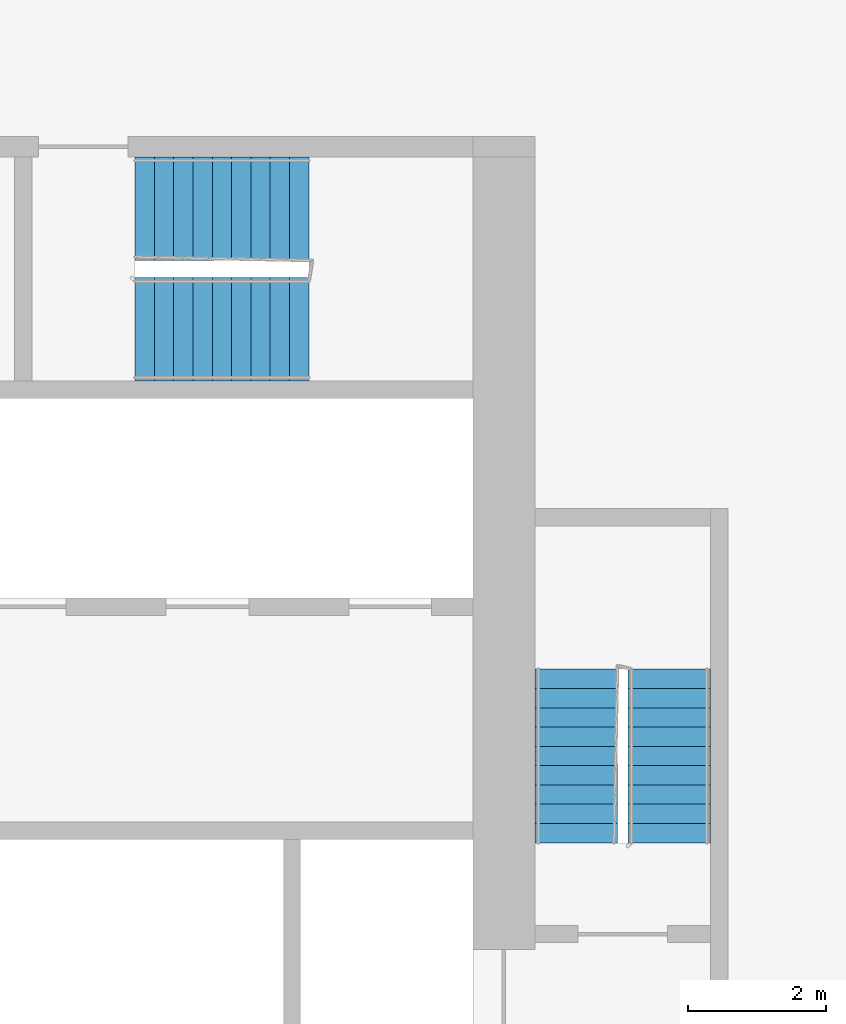
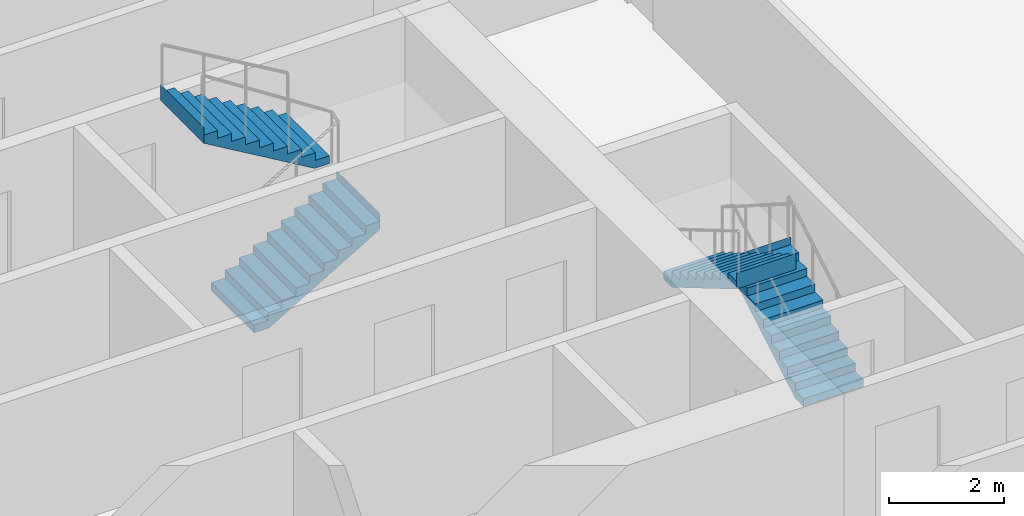
# One storey, part 11 of 13: 4 stair flights, 2 elements without a shape of their own.
"""IFC4 building model written with IfcOpenShell, lengths in metres."""

from ifc_helpers import new_model, si_unit, direction, frame, origin, place, context, subcontext, project, spatial, faceted_brep, material, type_object, element, aggregate, save


model = new_model("IFC4")

# Units and contexts
model_context = context("Model", 3, precision=1e-05, world=origin(), true_north=direction((0.0, 1.0)))
body_context = subcontext(model_context, "Body", "Model", "MODEL_VIEW")
ifc_project = project(units=[si_unit("LENGTHUNIT", "METRE"), si_unit("AREAUNIT", "SQUARE_METRE"), si_unit("VOLUMEUNIT", "CUBIC_METRE"), si_unit("PLANEANGLEUNIT", "RADIAN"), si_unit("MASSUNIT", "GRAM", prefix="KILO")], contexts=[model_context])

# Site, building, storey
site_placement = place(None, origin())
site = spatial("IfcSite", under=ifc_project, at=site_placement, CompositionType="ELEMENT")
building_placement = place(site_placement, origin())
building = spatial("IfcBuilding", under=site, at=building_placement, Name="Kajstack Hotel Tower", CompositionType="ELEMENT")
storey_placement = place(building_placement, frame((0.0, 0.0, 69.89990234375)))
storey = spatial("IfcBuildingStorey", under=building, at=storey_placement, Name="L12", CompositionType="ELEMENT", Elevation=69.89990234375)

# Stair, stair flights
ifc_material = material(Name="Concrete C40/50", Category="concrete")
stair_type_1 = type_object("IfcStairType", Name="Exit stair 1200", PredefinedType="HALF_TURN_STAIR", material=ifc_material)
stair_1_placement = place(storey_placement, origin())
stair_1 = element("IfcStair", 1, at=stair_1_placement, inside=storey, type_object=stair_type_1, Name="L12 stair E1", PredefinedType="HALF_TURN_STAIR")
stair_flight_type_1 = type_object("IfcStairFlightType", Name="Exit stair flight 1200", PredefinedType="STRAIGHT", material=ifc_material)
stair_flight_1_placement = place(storey_placement, frame((33.449951171875, 5.25, 0.0), z_axis=(0.0, 0.0, 1.0), x_axis=(0.0, 1.0, 0.0)))
stair_flight_1 = element("IfcStairFlight", 2, at=stair_flight_1_placement, type_object=stair_flight_type_1, Name="E1 flight 1", NumberOfRisers=10, NumberOfTreads=9, PredefinedType="STRAIGHT", RiserHeight=0.165, TreadLength=0.28, context=body_context, shape_type="Brep", body=[
    faceted_brep([(0.295654296875, -0.60009765625, 0.0), (2.5205078125, -0.60009765625, 1.31103515625), (2.5205078125, -0.60009765625, 1.64990234375), (2.52001953125, -0.60009765625, 1.64990234375), (2.52001953125, -0.60009765625, 1.485107421875), (2.239990234375, -0.60009765625, 1.485107421875), (2.239990234375, -0.60009765625, 1.320068359375), (1.9599609375, -0.60009765625, 1.320068359375), (1.9599609375, -0.60009765625, 1.155029296875), (1.679931640625, -0.60009765625, 1.155029296875), (1.679931640625, -0.60009765625, 0.989990234375), (1.39990234375, -0.60009765625, 0.989990234375), (1.39990234375, -0.60009765625, 0.824951171875), (1.1201171875, -0.60009765625, 0.824951171875), (1.1201171875, -0.60009765625, 0.659912109375), (0.840087890625, -0.60009765625, 0.659912109375), (0.840087890625, -0.60009765625, 0.4951171875), (0.56005859375, -0.60009765625, 0.4951171875), (0.56005859375, -0.60009765625, 0.330078125), (0.280029296875, -0.60009765625, 0.330078125), (0.280029296875, -0.60009765625, 0.1650390625), (-0.00048828125, -0.60009765625, 0.1650390625), (-0.00048828125, -0.60009765625, 0.0), (-0.00048828125, 0.60009765625, 0.0), (-0.00048828125, 0.60009765625, 0.1650390625), (0.280029296875, 0.60009765625, 0.1650390625), (0.280029296875, 0.60009765625, 0.330078125), (0.56005859375, 0.60009765625, 0.330078125), (0.56005859375, 0.60009765625, 0.4951171875), (0.840087890625, 0.60009765625, 0.4951171875), (0.840087890625, 0.60009765625, 0.659912109375), (1.1201171875, 0.60009765625, 0.659912109375), (1.1201171875, 0.60009765625, 0.824951171875), (1.39990234375, 0.60009765625, 0.824951171875), (1.39990234375, 0.60009765625, 0.989990234375), (1.679931640625, 0.60009765625, 0.989990234375), (1.679931640625, 0.60009765625, 1.155029296875), (1.9599609375, 0.60009765625, 1.155029296875), (1.9599609375, 0.60009765625, 1.320068359375), (2.239990234375, 0.60009765625, 1.320068359375), (2.239990234375, 0.60009765625, 1.485107421875), (2.52001953125, 0.60009765625, 1.485107421875), (2.52001953125, 0.60009765625, 1.64990234375), (2.5205078125, 0.60009765625, 1.64990234375), (2.5205078125, 0.60009765625, 1.31103515625), (0.295654296875, 0.60009765625, 0.0), (-0.00048828125, -0.300048828125, 0.1650390625), (-0.00048828125, 0.0, 0.1650390625), (-0.00048828125, 0.300048828125, 0.1650390625), (-0.00048828125, 0.300048828125, 0.0), (-0.00048828125, 0.0, 0.0), (-0.00048828125, -0.300048828125, 0.0), (0.280029296875, -0.300048828125, 0.1650390625), (0.280029296875, 0.0, 0.1650390625), (0.280029296875, 0.300048828125, 0.1650390625), (0.280029296875, -0.300048828125, 0.330078125), (0.280029296875, 0.0, 0.330078125), (0.280029296875, 0.300048828125, 0.330078125), (0.56005859375, -0.300048828125, 0.330078125), (0.56005859375, 0.0, 0.330078125), (0.56005859375, 0.300048828125, 0.330078125), (0.56005859375, -0.300048828125, 0.4951171875), (0.56005859375, 0.0, 0.4951171875), (0.56005859375, 0.300048828125, 0.4951171875), (0.840087890625, -0.300048828125, 0.4951171875), (0.840087890625, 0.0, 0.4951171875), (0.840087890625, 0.300048828125, 0.4951171875), (0.840087890625, -0.300048828125, 0.659912109375), (0.840087890625, 0.0, 0.659912109375), (0.840087890625, 0.300048828125, 0.659912109375), (1.1201171875, -0.300048828125, 0.659912109375), (1.1201171875, 0.0, 0.659912109375), (1.1201171875, 0.300048828125, 0.659912109375), (1.1201171875, -0.300048828125, 0.824951171875), (1.1201171875, 0.0, 0.824951171875), (1.1201171875, 0.300048828125, 0.824951171875), (1.39990234375, -0.300048828125, 0.824951171875), (1.39990234375, 0.0, 0.824951171875), (1.39990234375, 0.300048828125, 0.824951171875), (1.39990234375, -0.300048828125, 0.989990234375), (1.39990234375, 0.0, 0.989990234375), (1.39990234375, 0.300048828125, 0.989990234375), (1.679931640625, -0.300048828125, 0.989990234375), (1.679931640625, 0.0, 0.989990234375), (1.679931640625, 0.300048828125, 0.989990234375), (1.679931640625, -0.300048828125, 1.155029296875), (1.679931640625, 0.0, 1.155029296875), (1.679931640625, 0.300048828125, 1.155029296875), (1.9599609375, -0.300048828125, 1.155029296875), (1.9599609375, 0.0, 1.155029296875), (1.9599609375, 0.300048828125, 1.155029296875), (1.9599609375, -0.300048828125, 1.320068359375), (1.9599609375, 0.0, 1.320068359375), (1.9599609375, 0.300048828125, 1.320068359375), (2.239990234375, -0.300048828125, 1.320068359375), (2.239990234375, 0.0, 1.320068359375), (2.239990234375, 0.300048828125, 1.320068359375), (2.239990234375, -0.300048828125, 1.485107421875), (2.239990234375, 0.0, 1.485107421875), (2.239990234375, 0.300048828125, 1.485107421875), (2.52001953125, -0.300048828125, 1.485107421875), (2.52001953125, 0.0, 1.485107421875), (2.52001953125, 0.300048828125, 1.485107421875), (2.52001953125, -0.300048828125, 1.64990234375), (2.52001953125, 0.0, 1.64990234375), (2.52001953125, 0.300048828125, 1.64990234375), (2.5205078125, -0.300048828125, 1.64990234375), (2.5205078125, 0.0, 1.64990234375), (2.5205078125, 0.300048828125, 1.64990234375), (2.5205078125, -0.300048828125, 1.31103515625), (2.5205078125, 0.0, 1.31103515625), (2.5205078125, 0.300048828125, 1.31103515625), (0.295654296875, -0.300048828125, 0.0), (0.295654296875, 0.0, 0.0), (0.295654296875, 0.300048828125, 0.0)], [[[0, 1, 2, 3, 4, 5, 6, 7, 8, 9, 10, 11, 12, 13, 14, 15, 16, 17, 18, 19, 20, 21, 22]], [[23, 24, 25, 26, 27, 28, 29, 30, 31, 32, 33, 34, 35, 36, 37, 38, 39, 40, 41, 42, 43, 44, 45]], [[21, 46, 47, 48, 24, 23, 49, 50, 51, 22]], [[20, 52, 53, 54, 25, 24, 48, 47, 46, 21]], [[19, 55, 56, 57, 26, 25, 54, 53, 52, 20]], [[18, 58, 59, 60, 27, 26, 57, 56, 55, 19]], [[17, 61, 62, 63, 28, 27, 60, 59, 58, 18]], [[16, 64, 65, 66, 29, 28, 63, 62, 61, 17]], [[15, 67, 68, 69, 30, 29, 66, 65, 64, 16]], [[14, 70, 71, 72, 31, 30, 69, 68, 67, 15]], [[13, 73, 74, 75, 32, 31, 72, 71, 70, 14]], [[12, 76, 77, 78, 33, 32, 75, 74, 73, 13]], [[11, 79, 80, 81, 34, 33, 78, 77, 76, 12]], [[10, 82, 83, 84, 35, 34, 81, 80, 79, 11]], [[9, 85, 86, 87, 36, 35, 84, 83, 82, 10]], [[8, 88, 89, 90, 37, 36, 87, 86, 85, 9]], [[7, 91, 92, 93, 38, 37, 90, 89, 88, 8]], [[6, 94, 95, 96, 39, 38, 93, 92, 91, 7]], [[5, 97, 98, 99, 40, 39, 96, 95, 94, 6]], [[4, 100, 101, 102, 41, 40, 99, 98, 97, 5]], [[3, 103, 104, 105, 42, 41, 102, 101, 100, 4]], [[2, 106, 107, 108, 43, 42, 105, 104, 103, 3]], [[1, 109, 110, 111, 44, 43, 108, 107, 106, 2]], [[0, 112, 113, 114, 45, 44, 111, 110, 109, 1]], [[22, 51, 50, 49, 23, 45, 114, 113, 112, 0]]]),
])
stair_flight_2_placement = place(storey_placement, frame((32.10009765625, 7.77001953125, 1.650146484375), z_axis=(0.0, 0.0, 1.0), x_axis=(0.0, -1.0, 0.0)))
stair_flight_2 = element("IfcStairFlight", 3, at=stair_flight_2_placement, type_object=stair_flight_type_1, Name="E1 flight 2", NumberOfRisers=10, NumberOfTreads=9, PredefinedType="STRAIGHT", RiserHeight=0.165, TreadLength=0.28, context=body_context, shape_type="Brep", body=[
    faceted_brep([(0.295654296875, -0.60009765625, 0.0), (2.5205078125, -0.60009765625, 1.31103515625), (2.5205078125, -0.60009765625, 1.64990234375), (2.52001953125, -0.60009765625, 1.64990234375), (2.52001953125, -0.60009765625, 1.485107421875), (2.239990234375, -0.60009765625, 1.485107421875), (2.239990234375, -0.60009765625, 1.320068359375), (1.9599609375, -0.60009765625, 1.320068359375), (1.9599609375, -0.60009765625, 1.155029296875), (1.679931640625, -0.60009765625, 1.155029296875), (1.679931640625, -0.60009765625, 0.989990234375), (1.39990234375, -0.60009765625, 0.989990234375), (1.39990234375, -0.60009765625, 0.824951171875), (1.1201171875, -0.60009765625, 0.824951171875), (1.1201171875, -0.60009765625, 0.659912109375), (0.840087890625, -0.60009765625, 0.659912109375), (0.840087890625, -0.60009765625, 0.4951171875), (0.56005859375, -0.60009765625, 0.4951171875), (0.56005859375, -0.60009765625, 0.330078125), (0.280029296875, -0.60009765625, 0.330078125), (0.280029296875, -0.60009765625, 0.1650390625), (-0.00048828125, -0.60009765625, 0.1650390625), (-0.00048828125, -0.60009765625, 0.0), (-0.00048828125, 0.60009765625, 0.0), (-0.00048828125, 0.60009765625, 0.1650390625), (0.280029296875, 0.60009765625, 0.1650390625), (0.280029296875, 0.60009765625, 0.330078125), (0.56005859375, 0.60009765625, 0.330078125), (0.56005859375, 0.60009765625, 0.4951171875), (0.840087890625, 0.60009765625, 0.4951171875), (0.840087890625, 0.60009765625, 0.659912109375), (1.1201171875, 0.60009765625, 0.659912109375), (1.1201171875, 0.60009765625, 0.824951171875), (1.39990234375, 0.60009765625, 0.824951171875), (1.39990234375, 0.60009765625, 0.989990234375), (1.679931640625, 0.60009765625, 0.989990234375), (1.679931640625, 0.60009765625, 1.155029296875), (1.9599609375, 0.60009765625, 1.155029296875), (1.9599609375, 0.60009765625, 1.320068359375), (2.239990234375, 0.60009765625, 1.320068359375), (2.239990234375, 0.60009765625, 1.485107421875), (2.52001953125, 0.60009765625, 1.485107421875), (2.52001953125, 0.60009765625, 1.64990234375), (2.5205078125, 0.60009765625, 1.64990234375), (2.5205078125, 0.60009765625, 1.31103515625), (0.295654296875, 0.60009765625, 0.0), (-0.00048828125, -0.300048828125, 0.1650390625), (-0.00048828125, 0.0, 0.1650390625), (-0.00048828125, 0.300048828125, 0.1650390625), (-0.00048828125, 0.300048828125, 0.0), (-0.00048828125, 0.0, 0.0), (-0.00048828125, -0.300048828125, 0.0), (0.280029296875, -0.300048828125, 0.1650390625), (0.280029296875, 0.0, 0.1650390625), (0.280029296875, 0.300048828125, 0.1650390625), (0.280029296875, -0.300048828125, 0.330078125), (0.280029296875, 0.0, 0.330078125), (0.280029296875, 0.300048828125, 0.330078125), (0.56005859375, -0.300048828125, 0.330078125), (0.56005859375, 0.0, 0.330078125), (0.56005859375, 0.300048828125, 0.330078125), (0.56005859375, -0.300048828125, 0.4951171875), (0.56005859375, 0.0, 0.4951171875), (0.56005859375, 0.300048828125, 0.4951171875), (0.840087890625, -0.300048828125, 0.4951171875), (0.840087890625, 0.0, 0.4951171875), (0.840087890625, 0.300048828125, 0.4951171875), (0.840087890625, -0.300048828125, 0.659912109375), (0.840087890625, 0.0, 0.659912109375), (0.840087890625, 0.300048828125, 0.659912109375), (1.1201171875, -0.300048828125, 0.659912109375), (1.1201171875, 0.0, 0.659912109375), (1.1201171875, 0.300048828125, 0.659912109375), (1.1201171875, -0.300048828125, 0.824951171875), (1.1201171875, 0.0, 0.824951171875), (1.1201171875, 0.300048828125, 0.824951171875), (1.39990234375, -0.300048828125, 0.824951171875), (1.39990234375, 0.0, 0.824951171875), (1.39990234375, 0.300048828125, 0.824951171875), (1.39990234375, -0.300048828125, 0.989990234375), (1.39990234375, 0.0, 0.989990234375), (1.39990234375, 0.300048828125, 0.989990234375), (1.679931640625, -0.300048828125, 0.989990234375), (1.679931640625, 0.0, 0.989990234375), (1.679931640625, 0.300048828125, 0.989990234375), (1.679931640625, -0.300048828125, 1.155029296875), (1.679931640625, 0.0, 1.155029296875), (1.679931640625, 0.300048828125, 1.155029296875), (1.9599609375, -0.300048828125, 1.155029296875), (1.9599609375, 0.0, 1.155029296875), (1.9599609375, 0.300048828125, 1.155029296875), (1.9599609375, -0.300048828125, 1.320068359375), (1.9599609375, 0.0, 1.320068359375), (1.9599609375, 0.300048828125, 1.320068359375), (2.239990234375, -0.300048828125, 1.320068359375), (2.239990234375, 0.0, 1.320068359375), (2.239990234375, 0.300048828125, 1.320068359375), (2.239990234375, -0.300048828125, 1.485107421875), (2.239990234375, 0.0, 1.485107421875), (2.239990234375, 0.300048828125, 1.485107421875), (2.52001953125, -0.300048828125, 1.485107421875), (2.52001953125, 0.0, 1.485107421875), (2.52001953125, 0.300048828125, 1.485107421875), (2.52001953125, -0.300048828125, 1.64990234375), (2.52001953125, 0.0, 1.64990234375), (2.52001953125, 0.300048828125, 1.64990234375), (2.5205078125, -0.300048828125, 1.64990234375), (2.5205078125, 0.0, 1.64990234375), (2.5205078125, 0.300048828125, 1.64990234375), (2.5205078125, -0.300048828125, 1.31103515625), (2.5205078125, 0.0, 1.31103515625), (2.5205078125, 0.300048828125, 1.31103515625), (0.295654296875, -0.300048828125, 0.0), (0.295654296875, 0.0, 0.0), (0.295654296875, 0.300048828125, 0.0)], [[[0, 1, 2, 3, 4, 5, 6, 7, 8, 9, 10, 11, 12, 13, 14, 15, 16, 17, 18, 19, 20, 21, 22]], [[23, 24, 25, 26, 27, 28, 29, 30, 31, 32, 33, 34, 35, 36, 37, 38, 39, 40, 41, 42, 43, 44, 45]], [[21, 46, 47, 48, 24, 23, 49, 50, 51, 22]], [[20, 52, 53, 54, 25, 24, 48, 47, 46, 21]], [[19, 55, 56, 57, 26, 25, 54, 53, 52, 20]], [[18, 58, 59, 60, 27, 26, 57, 56, 55, 19]], [[17, 61, 62, 63, 28, 27, 60, 59, 58, 18]], [[16, 64, 65, 66, 29, 28, 63, 62, 61, 17]], [[15, 67, 68, 69, 30, 29, 66, 65, 64, 16]], [[14, 70, 71, 72, 31, 30, 69, 68, 67, 15]], [[13, 73, 74, 75, 32, 31, 72, 71, 70, 14]], [[12, 76, 77, 78, 33, 32, 75, 74, 73, 13]], [[11, 79, 80, 81, 34, 33, 78, 77, 76, 12]], [[10, 82, 83, 84, 35, 34, 81, 80, 79, 11]], [[9, 85, 86, 87, 36, 35, 84, 83, 82, 10]], [[8, 88, 89, 90, 37, 36, 87, 86, 85, 9]], [[7, 91, 92, 93, 38, 37, 90, 89, 88, 8]], [[6, 94, 95, 96, 39, 38, 93, 92, 91, 7]], [[5, 97, 98, 99, 40, 39, 96, 95, 94, 6]], [[4, 100, 101, 102, 41, 40, 99, 98, 97, 5]], [[3, 103, 104, 105, 42, 41, 102, 101, 100, 4]], [[2, 106, 107, 108, 43, 42, 105, 104, 103, 3]], [[1, 109, 110, 111, 44, 43, 108, 107, 106, 2]], [[0, 112, 113, 114, 45, 44, 111, 110, 109, 1]], [[22, 51, 50, 49, 23, 45, 114, 113, 112, 0]]]),
])
aggregate(stair_1, [stair_flight_1, stair_flight_2])

stair_type_2 = type_object("IfcStairType", Name="Exit stair 1500", PredefinedType="HALF_TURN_STAIR", material=ifc_material)
stair_2_placement = place(storey_placement, origin())
stair_2 = element("IfcStair", 4, at=stair_2_placement, inside=storey, type_object=stair_type_2, Name="L12 stair E3", PredefinedType="HALF_TURN_STAIR")
stair_flight_type_2 = type_object("IfcStairFlightType", Name="Exit stair flight 1500", PredefinedType="STRAIGHT", material=ifc_material)
stair_flight_3_placement = place(storey_placement, frame((25.699951171875, 12.699951171875, 0.0), z_axis=(0.0, 0.0, 1.0), x_axis=(1.0, 0.0, 0.0)))
stair_flight_3 = element("IfcStairFlight", 5, at=stair_flight_3_placement, type_object=stair_flight_type_2, Name="E3 flight 1", NumberOfRisers=10, NumberOfTreads=9, PredefinedType="STRAIGHT", RiserHeight=0.165, TreadLength=0.28, context=body_context, shape_type="Brep", body=[
    faceted_brep([(0.295654296875, -0.75, 0.0), (2.5205078125, -0.75, 1.31103515625), (2.5205078125, -0.75, 1.64990234375), (2.52001953125, -0.75, 1.64990234375), (2.52001953125, -0.75, 1.485107421875), (2.239990234375, -0.75, 1.485107421875), (2.239990234375, -0.75, 1.320068359375), (1.9599609375, -0.75, 1.320068359375), (1.9599609375, -0.75, 1.155029296875), (1.679931640625, -0.75, 1.155029296875), (1.679931640625, -0.75, 0.989990234375), (1.39990234375, -0.75, 0.989990234375), (1.39990234375, -0.75, 0.824951171875), (1.1201171875, -0.75, 0.824951171875), (1.1201171875, -0.75, 0.659912109375), (0.840087890625, -0.75, 0.659912109375), (0.840087890625, -0.75, 0.4951171875), (0.56005859375, -0.75, 0.4951171875), (0.56005859375, -0.75, 0.330078125), (0.280029296875, -0.75, 0.330078125), (0.280029296875, -0.75, 0.1650390625), (-0.00048828125, -0.75, 0.1650390625), (-0.00048828125, -0.75, 0.0), (-0.00048828125, 0.75, 0.0), (-0.00048828125, 0.75, 0.1650390625), (0.280029296875, 0.75, 0.1650390625), (0.280029296875, 0.75, 0.330078125), (0.56005859375, 0.75, 0.330078125), (0.56005859375, 0.75, 0.4951171875), (0.840087890625, 0.75, 0.4951171875), (0.840087890625, 0.75, 0.659912109375), (1.1201171875, 0.75, 0.659912109375), (1.1201171875, 0.75, 0.824951171875), (1.39990234375, 0.75, 0.824951171875), (1.39990234375, 0.75, 0.989990234375), (1.679931640625, 0.75, 0.989990234375), (1.679931640625, 0.75, 1.155029296875), (1.9599609375, 0.75, 1.155029296875), (1.9599609375, 0.75, 1.320068359375), (2.239990234375, 0.75, 1.320068359375), (2.239990234375, 0.75, 1.485107421875), (2.52001953125, 0.75, 1.485107421875), (2.52001953125, 0.75, 1.64990234375), (2.5205078125, 0.75, 1.64990234375), (2.5205078125, 0.75, 1.31103515625), (0.295654296875, 0.75, 0.0), (-0.00048828125, -0.375, 0.1650390625), (-0.00048828125, 0.0, 0.1650390625), (-0.00048828125, 0.375, 0.1650390625), (-0.00048828125, 0.375, 0.0), (-0.00048828125, 0.0, 0.0), (-0.00048828125, -0.375, 0.0), (0.280029296875, -0.375, 0.1650390625), (0.280029296875, 0.0, 0.1650390625), (0.280029296875, 0.375, 0.1650390625), (0.280029296875, -0.375, 0.330078125), (0.280029296875, 0.0, 0.330078125), (0.280029296875, 0.375, 0.330078125), (0.56005859375, -0.375, 0.330078125), (0.56005859375, 0.0, 0.330078125), (0.56005859375, 0.375, 0.330078125), (0.56005859375, -0.375, 0.4951171875), (0.56005859375, 0.0, 0.4951171875), (0.56005859375, 0.375, 0.4951171875), (0.840087890625, -0.375, 0.4951171875), (0.840087890625, 0.0, 0.4951171875), (0.840087890625, 0.375, 0.4951171875), (0.840087890625, -0.375, 0.659912109375), (0.840087890625, 0.0, 0.659912109375), (0.840087890625, 0.375, 0.659912109375), (1.1201171875, -0.375, 0.659912109375), (1.1201171875, 0.0, 0.659912109375), (1.1201171875, 0.375, 0.659912109375), (1.1201171875, -0.375, 0.824951171875), (1.1201171875, 0.0, 0.824951171875), (1.1201171875, 0.375, 0.824951171875), (1.39990234375, -0.375, 0.824951171875), (1.39990234375, 0.0, 0.824951171875), (1.39990234375, 0.375, 0.824951171875), (1.39990234375, -0.375, 0.989990234375), (1.39990234375, 0.0, 0.989990234375), (1.39990234375, 0.375, 0.989990234375), (1.679931640625, -0.375, 0.989990234375), (1.679931640625, 0.0, 0.989990234375), (1.679931640625, 0.375, 0.989990234375), (1.679931640625, -0.375, 1.155029296875), (1.679931640625, 0.0, 1.155029296875), (1.679931640625, 0.375, 1.155029296875), (1.9599609375, -0.375, 1.155029296875), (1.9599609375, 0.0, 1.155029296875), (1.9599609375, 0.375, 1.155029296875), (1.9599609375, -0.375, 1.320068359375), (1.9599609375, 0.0, 1.320068359375), (1.9599609375, 0.375, 1.320068359375), (2.239990234375, -0.375, 1.320068359375), (2.239990234375, 0.0, 1.320068359375), (2.239990234375, 0.375, 1.320068359375), (2.239990234375, -0.375, 1.485107421875), (2.239990234375, 0.0, 1.485107421875), (2.239990234375, 0.375, 1.485107421875), (2.52001953125, -0.375, 1.485107421875), (2.52001953125, 0.0, 1.485107421875), (2.52001953125, 0.375, 1.485107421875), (2.52001953125, -0.375, 1.64990234375), (2.52001953125, 0.0, 1.64990234375), (2.52001953125, 0.375, 1.64990234375), (2.5205078125, -0.375, 1.64990234375), (2.5205078125, 0.0, 1.64990234375), (2.5205078125, 0.375, 1.64990234375), (2.5205078125, -0.375, 1.31103515625), (2.5205078125, 0.0, 1.31103515625), (2.5205078125, 0.375, 1.31103515625), (0.295654296875, -0.375, 0.0), (0.295654296875, 0.0, 0.0), (0.295654296875, 0.375, 0.0)], [[[0, 1, 2, 3, 4, 5, 6, 7, 8, 9, 10, 11, 12, 13, 14, 15, 16, 17, 18, 19, 20, 21, 22]], [[23, 24, 25, 26, 27, 28, 29, 30, 31, 32, 33, 34, 35, 36, 37, 38, 39, 40, 41, 42, 43, 44, 45]], [[21, 46, 47, 48, 24, 23, 49, 50, 51, 22]], [[20, 52, 53, 54, 25, 24, 48, 47, 46, 21]], [[19, 55, 56, 57, 26, 25, 54, 53, 52, 20]], [[18, 58, 59, 60, 27, 26, 57, 56, 55, 19]], [[17, 61, 62, 63, 28, 27, 60, 59, 58, 18]], [[16, 64, 65, 66, 29, 28, 63, 62, 61, 17]], [[15, 67, 68, 69, 30, 29, 66, 65, 64, 16]], [[14, 70, 71, 72, 31, 30, 69, 68, 67, 15]], [[13, 73, 74, 75, 32, 31, 72, 71, 70, 14]], [[12, 76, 77, 78, 33, 32, 75, 74, 73, 13]], [[11, 79, 80, 81, 34, 33, 78, 77, 76, 12]], [[10, 82, 83, 84, 35, 34, 81, 80, 79, 11]], [[9, 85, 86, 87, 36, 35, 84, 83, 82, 10]], [[8, 88, 89, 90, 37, 36, 87, 86, 85, 9]], [[7, 91, 92, 93, 38, 37, 90, 89, 88, 8]], [[6, 94, 95, 96, 39, 38, 93, 92, 91, 7]], [[5, 97, 98, 99, 40, 39, 96, 95, 94, 6]], [[4, 100, 101, 102, 41, 40, 99, 98, 97, 5]], [[3, 103, 104, 105, 42, 41, 102, 101, 100, 4]], [[2, 106, 107, 108, 43, 42, 105, 104, 103, 3]], [[1, 109, 110, 111, 44, 43, 108, 107, 106, 2]], [[0, 112, 113, 114, 45, 44, 111, 110, 109, 1]], [[22, 51, 50, 49, 23, 45, 114, 113, 112, 0]]]),
])
stair_flight_4_placement = place(storey_placement, frame((28.219970703125, 14.449951171875, 1.650146484375), z_axis=(0.0, 0.0, 1.0), x_axis=(-1.0, 0.0, 0.0)))
stair_flight_4 = element("IfcStairFlight", 6, at=stair_flight_4_placement, type_object=stair_flight_type_2, Name="E3 flight 2", NumberOfRisers=10, NumberOfTreads=9, PredefinedType="STRAIGHT", RiserHeight=0.165, TreadLength=0.28, context=body_context, shape_type="Brep", body=[
    faceted_brep([(0.295654296875, -0.75, 0.0), (2.5205078125, -0.75, 1.31103515625), (2.5205078125, -0.75, 1.64990234375), (2.52001953125, -0.75, 1.64990234375), (2.52001953125, -0.75, 1.485107421875), (2.239990234375, -0.75, 1.485107421875), (2.239990234375, -0.75, 1.320068359375), (1.9599609375, -0.75, 1.320068359375), (1.9599609375, -0.75, 1.155029296875), (1.679931640625, -0.75, 1.155029296875), (1.679931640625, -0.75, 0.989990234375), (1.39990234375, -0.75, 0.989990234375), (1.39990234375, -0.75, 0.824951171875), (1.1201171875, -0.75, 0.824951171875), (1.1201171875, -0.75, 0.659912109375), (0.840087890625, -0.75, 0.659912109375), (0.840087890625, -0.75, 0.4951171875), (0.56005859375, -0.75, 0.4951171875), (0.56005859375, -0.75, 0.330078125), (0.280029296875, -0.75, 0.330078125), (0.280029296875, -0.75, 0.1650390625), (-0.00048828125, -0.75, 0.1650390625), (-0.00048828125, -0.75, 0.0), (-0.00048828125, 0.75, 0.0), (-0.00048828125, 0.75, 0.1650390625), (0.280029296875, 0.75, 0.1650390625), (0.280029296875, 0.75, 0.330078125), (0.56005859375, 0.75, 0.330078125), (0.56005859375, 0.75, 0.4951171875), (0.840087890625, 0.75, 0.4951171875), (0.840087890625, 0.75, 0.659912109375), (1.1201171875, 0.75, 0.659912109375), (1.1201171875, 0.75, 0.824951171875), (1.39990234375, 0.75, 0.824951171875), (1.39990234375, 0.75, 0.989990234375), (1.679931640625, 0.75, 0.989990234375), (1.679931640625, 0.75, 1.155029296875), (1.9599609375, 0.75, 1.155029296875), (1.9599609375, 0.75, 1.320068359375), (2.239990234375, 0.75, 1.320068359375), (2.239990234375, 0.75, 1.485107421875), (2.52001953125, 0.75, 1.485107421875), (2.52001953125, 0.75, 1.64990234375), (2.5205078125, 0.75, 1.64990234375), (2.5205078125, 0.75, 1.31103515625), (0.295654296875, 0.75, 0.0), (-0.00048828125, -0.375, 0.1650390625), (-0.00048828125, 0.0, 0.1650390625), (-0.00048828125, 0.375, 0.1650390625), (-0.00048828125, 0.375, 0.0), (-0.00048828125, 0.0, 0.0), (-0.00048828125, -0.375, 0.0), (0.280029296875, -0.375, 0.1650390625), (0.280029296875, 0.0, 0.1650390625), (0.280029296875, 0.375, 0.1650390625), (0.280029296875, -0.375, 0.330078125), (0.280029296875, 0.0, 0.330078125), (0.280029296875, 0.375, 0.330078125), (0.56005859375, -0.375, 0.330078125), (0.56005859375, 0.0, 0.330078125), (0.56005859375, 0.375, 0.330078125), (0.56005859375, -0.375, 0.4951171875), (0.56005859375, 0.0, 0.4951171875), (0.56005859375, 0.375, 0.4951171875), (0.840087890625, -0.375, 0.4951171875), (0.840087890625, 0.0, 0.4951171875), (0.840087890625, 0.375, 0.4951171875), (0.840087890625, -0.375, 0.659912109375), (0.840087890625, 0.0, 0.659912109375), (0.840087890625, 0.375, 0.659912109375), (1.1201171875, -0.375, 0.659912109375), (1.1201171875, 0.0, 0.659912109375), (1.1201171875, 0.375, 0.659912109375), (1.1201171875, -0.375, 0.824951171875), (1.1201171875, 0.0, 0.824951171875), (1.1201171875, 0.375, 0.824951171875), (1.39990234375, -0.375, 0.824951171875), (1.39990234375, 0.0, 0.824951171875), (1.39990234375, 0.375, 0.824951171875), (1.39990234375, -0.375, 0.989990234375), (1.39990234375, 0.0, 0.989990234375), (1.39990234375, 0.375, 0.989990234375), (1.679931640625, -0.375, 0.989990234375), (1.679931640625, 0.0, 0.989990234375), (1.679931640625, 0.375, 0.989990234375), (1.679931640625, -0.375, 1.155029296875), (1.679931640625, 0.0, 1.155029296875), (1.679931640625, 0.375, 1.155029296875), (1.9599609375, -0.375, 1.155029296875), (1.9599609375, 0.0, 1.155029296875), (1.9599609375, 0.375, 1.155029296875), (1.9599609375, -0.375, 1.320068359375), (1.9599609375, 0.0, 1.320068359375), (1.9599609375, 0.375, 1.320068359375), (2.239990234375, -0.375, 1.320068359375), (2.239990234375, 0.0, 1.320068359375), (2.239990234375, 0.375, 1.320068359375), (2.239990234375, -0.375, 1.485107421875), (2.239990234375, 0.0, 1.485107421875), (2.239990234375, 0.375, 1.485107421875), (2.52001953125, -0.375, 1.485107421875), (2.52001953125, 0.0, 1.485107421875), (2.52001953125, 0.375, 1.485107421875), (2.52001953125, -0.375, 1.64990234375), (2.52001953125, 0.0, 1.64990234375), (2.52001953125, 0.375, 1.64990234375), (2.5205078125, -0.375, 1.64990234375), (2.5205078125, 0.0, 1.64990234375), (2.5205078125, 0.375, 1.64990234375), (2.5205078125, -0.375, 1.31103515625), (2.5205078125, 0.0, 1.31103515625), (2.5205078125, 0.375, 1.31103515625), (0.295654296875, -0.375, 0.0), (0.295654296875, 0.0, 0.0), (0.295654296875, 0.375, 0.0)], [[[0, 1, 2, 3, 4, 5, 6, 7, 8, 9, 10, 11, 12, 13, 14, 15, 16, 17, 18, 19, 20, 21, 22]], [[23, 24, 25, 26, 27, 28, 29, 30, 31, 32, 33, 34, 35, 36, 37, 38, 39, 40, 41, 42, 43, 44, 45]], [[21, 46, 47, 48, 24, 23, 49, 50, 51, 22]], [[20, 52, 53, 54, 25, 24, 48, 47, 46, 21]], [[19, 55, 56, 57, 26, 25, 54, 53, 52, 20]], [[18, 58, 59, 60, 27, 26, 57, 56, 55, 19]], [[17, 61, 62, 63, 28, 27, 60, 59, 58, 18]], [[16, 64, 65, 66, 29, 28, 63, 62, 61, 17]], [[15, 67, 68, 69, 30, 29, 66, 65, 64, 16]], [[14, 70, 71, 72, 31, 30, 69, 68, 67, 15]], [[13, 73, 74, 75, 32, 31, 72, 71, 70, 14]], [[12, 76, 77, 78, 33, 32, 75, 74, 73, 13]], [[11, 79, 80, 81, 34, 33, 78, 77, 76, 12]], [[10, 82, 83, 84, 35, 34, 81, 80, 79, 11]], [[9, 85, 86, 87, 36, 35, 84, 83, 82, 10]], [[8, 88, 89, 90, 37, 36, 87, 86, 85, 9]], [[7, 91, 92, 93, 38, 37, 90, 89, 88, 8]], [[6, 94, 95, 96, 39, 38, 93, 92, 91, 7]], [[5, 97, 98, 99, 40, 39, 96, 95, 94, 6]], [[4, 100, 101, 102, 41, 40, 99, 98, 97, 5]], [[3, 103, 104, 105, 42, 41, 102, 101, 100, 4]], [[2, 106, 107, 108, 43, 42, 105, 104, 103, 3]], [[1, 109, 110, 111, 44, 43, 108, 107, 106, 2]], [[0, 112, 113, 114, 45, 44, 111, 110, 109, 1]], [[22, 51, 50, 49, 23, 45, 114, 113, 112, 0]]]),
])
aggregate(stair_2, [stair_flight_3, stair_flight_4])

save(model, "model.ifc")
